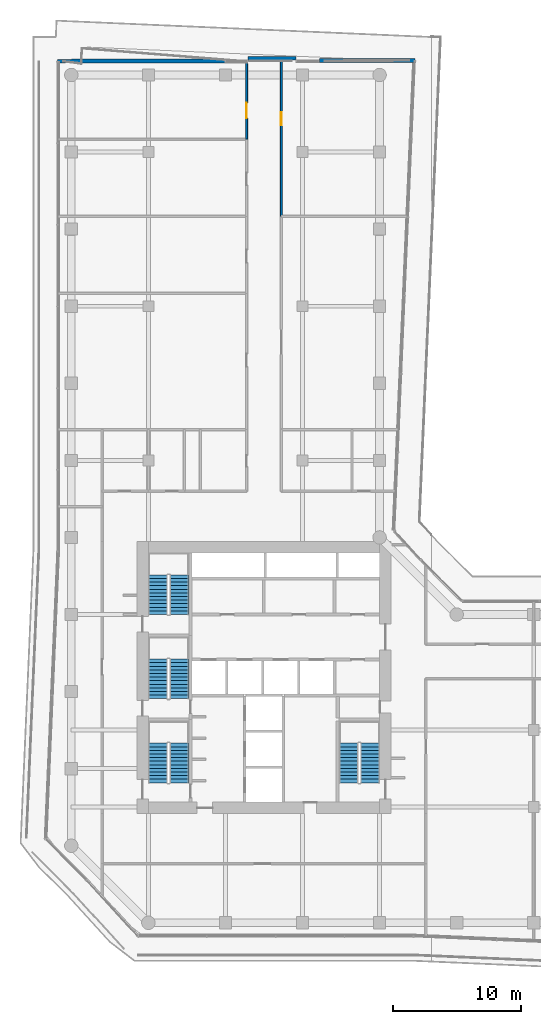
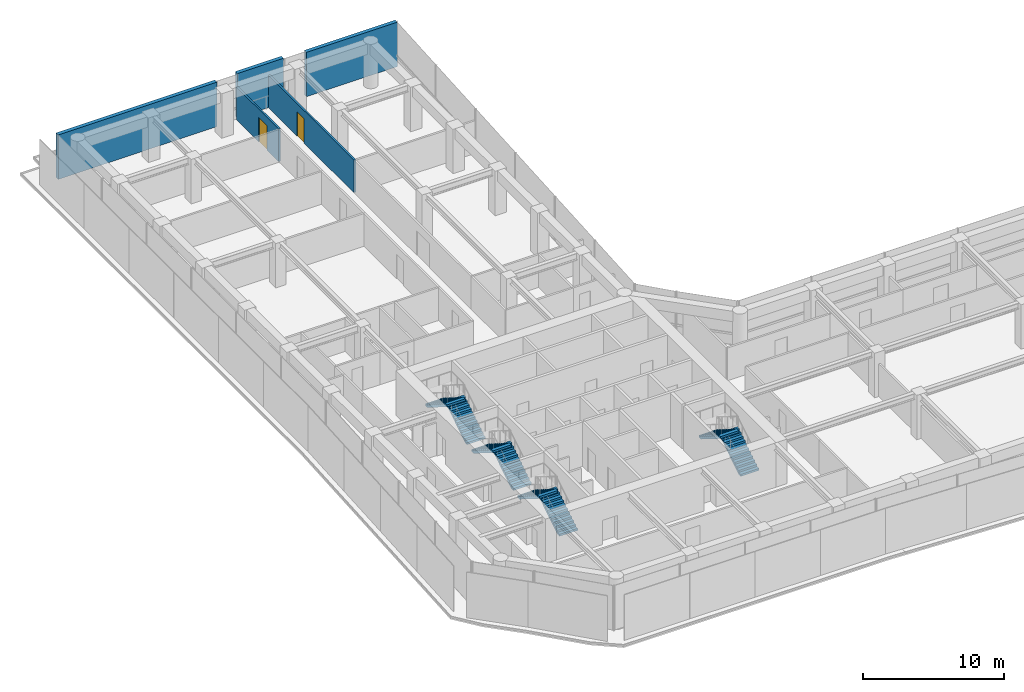
# One storey, part 27 of 29: 8 stair flights, 5 walls, 2 doors, 2 openings, 4 elements without a shape of their own.
"""IFC4 building model written with IfcOpenShell, lengths in metres."""

from ifc_helpers import new_model, si_unit, direction, frame, frame_2d, origin, place, context, subcontext, project, spatial, polyline, rectangle, outline, extrude, material, layer, layer_set, type_object, element, fill, aggregate, save


model = new_model("IFC4")

# Units and contexts
model_context = context("Model", 3, precision=1e-05, world=origin(), true_north=direction((0.0, 1.0)))
body_context = subcontext(model_context, "Body", "Model", "MODEL_VIEW")
ifc_project = project(units=[si_unit("LENGTHUNIT", "METRE"), si_unit("AREAUNIT", "SQUARE_METRE"), si_unit("VOLUMEUNIT", "CUBIC_METRE"), si_unit("PLANEANGLEUNIT", "RADIAN"), si_unit("MASSUNIT", "GRAM", prefix="KILO")], contexts=[model_context])

# Site, building, storey
site_placement = place(None, origin())
site = spatial("IfcSite", under=ifc_project, at=site_placement, CompositionType="ELEMENT")
building_placement = place(site_placement, origin())
building = spatial("IfcBuilding", under=site, at=building_placement, Name="Welwitschia Terrace Campus", CompositionType="ELEMENT")
storey_placement = place(building_placement, frame((0.0, 0.0, 41.60009765625)))
storey = spatial("IfcBuildingStorey", under=building, at=storey_placement, Name="L09", CompositionType="ELEMENT", Elevation=41.60009765625)

# Wall, opening, door
ifc_material_1 = material(Name="Gypsum board on steel studs", Category="steel")
ifc_layer_1 = layer(ifc_material_1, 0.14990234375)
ifc_layer_set_1 = layer_set([ifc_layer_1], Name="Gypsum board on steel studs")
wall_type_1 = type_object("IfcWallType", Name="Corridor partition 150 EI 30", PredefinedType="PARTITIONING", material=ifc_layer_set_1)
wall_1_placement = place(storey_placement, frame((13.64990234375, 57.0, 0.0), z_axis=(0.0, 0.0, 1.0), x_axis=(0.0, 1.0, 0.0)))
wall_1 = element("IfcWall", 1, at=wall_1_placement, inside=storey, type_object=wall_type_1, Name="Partition", PredefinedType="PARTITIONING", context=body_context, shape_type="SweptSolid", body=[
    extrude(rectangle(XDim=6.022705078125, YDim=0.14990234375, at=frame_2d((3.01123046875, 0.0))), origin(), (0.0, 0.0, 1.0), 2.829833984375),
])
opening_1_placement = place(wall_1_placement, frame((1.639892578125, 0.0, 0.0)))
opening_1 = element("IfcOpeningElement", 2, at=opening_1_placement, cuts=wall_1, Name="Opening DI12", PredefinedType="OPENING", context=body_context, shape_type="SweptSolid", body=[
    extrude(rectangle(XDim=1.199951171875, YDim=2.10009765625, at=frame_2d((0.60009765625, 1.050048828125))), frame((0.0, 0.0849609375, 0.0), z_axis=(0.0, -1.0, 0.0), x_axis=(1.0, 0.0, 0.0)), (0.0, 0.0, 1.0), 0.169921875),
])
ifc_material_2 = material(Name="Timber veneered door", Category="wood")
door_type_1 = type_object("IfcDoorType", Name="Interior door DI12", OperationType="NOTDEFINED", PredefinedType="DOOR", material=ifc_material_2)
door_1_placement = place(opening_1_placement, origin())
door_1 = element("IfcDoor", 3, at=door_1_placement, inside=storey, type_object=door_type_1, Name="Door L09 216", OperationType="SINGLE_SWING_LEFT", OverallHeight=2.10009765625, OverallWidth=1.199951171875, PredefinedType="DOOR", context=body_context, shape_type="SweptSolid", body=[
    extrude(rectangle(XDim=1.199951171875, YDim=2.10009765625, at=frame_2d((0.60009765625, 1.050048828125))), frame((0.0, 0.02490234375, 0.0), z_axis=(0.0, -1.0, 0.0), x_axis=(1.0, 0.0, 0.0)), (0.0, 0.0, 1.0), 0.050048828125),
])
fill(opening_1, door_1)

wall_2_placement = place(storey_placement, frame((16.35009765625, 63.15380859375, 0.0), z_axis=(0.0, 0.0, 1.0), x_axis=(0.0, -1.0, 0.0)))
wall_2 = element("IfcWall", 4, at=wall_2_placement, inside=storey, type_object=wall_type_1, Name="Partition", PredefinedType="PARTITIONING", context=body_context, shape_type="SweptSolid", body=[
    extrude(rectangle(XDim=12.15380859375, YDim=0.14990234375, at=frame_2d((6.076904296875, 0.0))), origin(), (0.0, 0.0, 1.0), 2.829833984375),
])
opening_2_placement = place(wall_2_placement, frame((4.0537109375, 0.0, 0.0)))
opening_2 = element("IfcOpeningElement", 5, at=opening_2_placement, cuts=wall_2, Name="Opening DI10", PredefinedType="OPENING", context=body_context, shape_type="SweptSolid", body=[
    extrude(rectangle(XDim=1.0, YDim=2.10009765625, at=frame_2d((0.5, 1.050048828125))), frame((0.0, 0.0849609375, 0.0), z_axis=(0.0, -1.0, 0.0), x_axis=(1.0, 0.0, 0.0)), (0.0, 0.0, 1.0), 0.169921875),
])
ifc_material_3 = material(Name="Timber veneered door", Category="wood")
door_type_2 = type_object("IfcDoorType", Name="Interior door DI10", OperationType="NOTDEFINED", PredefinedType="DOOR", material=ifc_material_3)
door_2_placement = place(opening_2_placement, origin())
door_2 = element("IfcDoor", 6, at=door_2_placement, inside=storey, type_object=door_type_2, Name="Door L09 218", OperationType="SINGLE_SWING_LEFT", OverallHeight=2.10009765625, OverallWidth=1.0, PredefinedType="DOOR", context=body_context, shape_type="SweptSolid", body=[
    extrude(rectangle(XDim=1.0, YDim=2.10009765625, at=frame_2d((0.5, 1.050048828125))), frame((0.0, 0.02490234375, 0.0), z_axis=(0.0, -1.0, 0.0), x_axis=(1.0, 0.0, 0.0)), (0.0, 0.0, 1.0), 0.050048828125),
])
fill(opening_2, door_2)

# Walls
ifc_material_4 = material(Name="Concrete C40/50", Category="concrete")
ifc_layer_2 = layer(ifc_material_4, 0.300048828125)
ifc_layer_set_2 = layer_set([ifc_layer_2], Name="Concrete C40/50")
wall_type_2 = type_object("IfcWallType", Name="Mass wall 300", PredefinedType="SOLIDWALL", material=ifc_layer_set_2)
wall_3_placement = place(storey_placement, frame((26.751220703125, 63.135498046875, 0.0), z_axis=(0.0, 0.0, 1.0), x_axis=(-0.999997363717, -0.002296205198, 0.0)))
element("IfcWall", 7, at=wall_3_placement, inside=storey, type_object=wall_type_2, Name="Mass wall L09.12.0", PredefinedType="SOLIDWALL", context=body_context, shape_type="SweptSolid", body=[
    extrude(rectangle(XDim=7.442626953125, YDim=0.300048828125, at=frame_2d((3.72119140625, 0.0))), origin(), (0.0, 0.0, 1.0), 3.849853515625),
])
wall_4_placement = place(storey_placement, frame((17.508056640625, 63.306396484375, 0.0), z_axis=(0.0, 0.0, 1.0), x_axis=(-0.999997420381, -0.002271393972, 0.0)))
element("IfcWall", 8, at=wall_4_placement, inside=storey, type_object=wall_type_2, Name="Mass wall L09.12.1", PredefinedType="SOLIDWALL", context=body_context, shape_type="SweptSolid", body=[
    extrude(rectangle(XDim=3.761962890625, YDim=0.300048828125, at=frame_2d((1.880859375, 0.0))), origin(), (0.0, 0.0, 1.0), 3.849853515625),
])
wall_5_placement = place(storey_placement, frame((11.946533203125, 63.103271484375, 0.0), z_axis=(0.0, 0.0, 1.0), x_axis=(-0.999997377162, -0.002290342614, 0.0)))
element("IfcWall", 9, at=wall_5_placement, inside=storey, type_object=wall_type_2, Name="Mass wall L09.12.2", PredefinedType="SOLIDWALL", context=body_context, shape_type="SweptSolid", body=[
    extrude(rectangle(XDim=13.004638671875, YDim=0.300048828125, at=frame_2d((6.50244140625, 0.0))), origin(), (0.0, 0.0, 1.0), 3.849853515625),
])

# Stair, stair flights
ifc_material_5 = material(Name="Concrete C40/50", Category="concrete")
stair_type = type_object("IfcStairType", Name="Stair 24R 175 W1500", PredefinedType="HALF_TURN_STAIR", material=ifc_material_5)
stair_1_placement = place(storey_placement, origin())
stair_1 = element("IfcStair", 10, at=stair_1_placement, inside=storey, type_object=stair_type, Name="L09 Exit stair S1", PredefinedType="HALF_TURN_STAIR")
ifc_material_6 = material(Name="Concrete C40/50", Category="concrete")
stair_flight_type = type_object("IfcStairFlightType", Name="Stair flight 24R 175 W1500", PredefinedType="STRAIGHT", material=ifc_material_6)
stair_flight_1_placement = place(storey_placement, frame((8.39990234375, 6.89990234375, 0.0), z_axis=(0.0, 0.0, 1.0), x_axis=(0.0, 1.0, 0.0)))
stair_flight_1 = element("IfcStairFlight", 11, at=stair_flight_1_placement, type_object=stair_flight_type, Name="S1 flight 1", NumberOfRisers=12, NumberOfTreads=11, PredefinedType="STRAIGHT", RiserHeight=0.175, TreadLength=0.28, context=body_context, shape_type="SweptSolid", body=[
    extrude(outline(polyline([(0.0, 0.0), (0.0, 0.175048828125), (0.280029296875, 0.175048828125), (0.280029296875, 0.35009765625), (0.56005859375, 0.35009765625), (0.56005859375, 0.52490234375), (0.840087890625, 0.52490234375), (0.840087890625, 0.699951171875), (1.1201171875, 0.699951171875), (1.1201171875, 0.875), (1.39990234375, 0.875), (1.39990234375, 1.050048828125), (1.679931640625, 1.050048828125), (1.679931640625, 1.22509765625), (1.9599609375, 1.22509765625), (1.9599609375, 1.39990234375), (2.239990234375, 1.39990234375), (2.239990234375, 1.574951171875), (2.52001953125, 1.574951171875), (2.52001953125, 1.75), (2.800048828125, 1.75), (2.800048828125, 1.925048828125), (3.080078125, 1.925048828125), (3.080078125, 2.10009765625), (3.080078125, 1.748291015625), (0.28271484375, 0.0), (0.0, 0.0)])), frame((0.0, 0.75, 0.0), z_axis=(0.0, -1.0, 0.0), x_axis=(1.0, 0.0, 0.0)), (0.0, 0.0, 1.0), 1.5),
])
stair_flight_2_placement = place(storey_placement, frame((6.75, 9.97998046875, 2.099853515625), z_axis=(0.0, 0.0, 1.0), x_axis=(0.0, -1.0, 0.0)))
stair_flight_2 = element("IfcStairFlight", 12, at=stair_flight_2_placement, type_object=stair_flight_type, Name="S1 flight 2", NumberOfRisers=12, NumberOfTreads=11, PredefinedType="STRAIGHT", RiserHeight=0.175, TreadLength=0.28, context=body_context, shape_type="SweptSolid", body=[
    extrude(outline(polyline([(0.0, 0.0), (0.0, 0.175048828125), (0.280029296875, 0.175048828125), (0.280029296875, 0.35009765625), (0.56005859375, 0.35009765625), (0.56005859375, 0.52490234375), (0.840087890625, 0.52490234375), (0.840087890625, 0.699951171875), (1.1201171875, 0.699951171875), (1.1201171875, 0.875), (1.39990234375, 0.875), (1.39990234375, 1.050048828125), (1.679931640625, 1.050048828125), (1.679931640625, 1.22509765625), (1.9599609375, 1.22509765625), (1.9599609375, 1.39990234375), (2.239990234375, 1.39990234375), (2.239990234375, 1.574951171875), (2.52001953125, 1.574951171875), (2.52001953125, 1.75), (2.800048828125, 1.75), (2.800048828125, 1.925048828125), (3.080078125, 1.925048828125), (3.080078125, 2.10009765625), (3.080078125, 1.748291015625), (0.28271484375, 0.0), (0.0, 0.0)])), frame((0.0, 0.75, 0.0), z_axis=(0.0, -1.0, 0.0), x_axis=(1.0, 0.0, 0.0)), (0.0, 0.0, 1.0), 1.5),
])
aggregate(stair_1, [stair_flight_1, stair_flight_2])

stair_2_placement = place(storey_placement, origin())
stair_2 = element("IfcStair", 13, at=stair_2_placement, inside=storey, type_object=stair_type, Name="L09 Exit stair S3", PredefinedType="HALF_TURN_STAIR")
stair_flight_3_placement = place(storey_placement, frame((8.39990234375, 13.449951171875, 0.0), z_axis=(0.0, 0.0, 1.0), x_axis=(0.0, 1.0, 0.0)))
stair_flight_3 = element("IfcStairFlight", 14, at=stair_flight_3_placement, type_object=stair_flight_type, Name="S3 flight 1", NumberOfRisers=12, NumberOfTreads=11, PredefinedType="STRAIGHT", RiserHeight=0.175, TreadLength=0.28, context=body_context, shape_type="SweptSolid", body=[
    extrude(outline(polyline([(0.0, 0.0), (0.0, 0.175048828125), (0.280029296875, 0.175048828125), (0.280029296875, 0.35009765625), (0.56005859375, 0.35009765625), (0.56005859375, 0.52490234375), (0.840087890625, 0.52490234375), (0.840087890625, 0.699951171875), (1.1201171875, 0.699951171875), (1.1201171875, 0.875), (1.39990234375, 0.875), (1.39990234375, 1.050048828125), (1.679931640625, 1.050048828125), (1.679931640625, 1.22509765625), (1.9599609375, 1.22509765625), (1.9599609375, 1.39990234375), (2.239990234375, 1.39990234375), (2.239990234375, 1.574951171875), (2.52001953125, 1.574951171875), (2.52001953125, 1.75), (2.800048828125, 1.75), (2.800048828125, 1.925048828125), (3.080078125, 1.925048828125), (3.080078125, 2.10009765625), (3.080078125, 1.748291015625), (0.28271484375, 0.0), (0.0, 0.0)])), frame((0.0, 0.75, 0.0), z_axis=(0.0, -1.0, 0.0), x_axis=(1.0, 0.0, 0.0)), (0.0, 0.0, 1.0), 1.5),
])
stair_flight_4_placement = place(storey_placement, frame((6.75, 16.530029296875, 2.099853515625), z_axis=(0.0, 0.0, 1.0), x_axis=(0.0, -1.0, 0.0)))
stair_flight_4 = element("IfcStairFlight", 15, at=stair_flight_4_placement, type_object=stair_flight_type, Name="S3 flight 2", NumberOfRisers=12, NumberOfTreads=11, PredefinedType="STRAIGHT", RiserHeight=0.175, TreadLength=0.28, context=body_context, shape_type="SweptSolid", body=[
    extrude(outline(polyline([(0.0, 0.0), (0.0, 0.175048828125), (0.280029296875, 0.175048828125), (0.280029296875, 0.35009765625), (0.56005859375, 0.35009765625), (0.56005859375, 0.52490234375), (0.840087890625, 0.52490234375), (0.840087890625, 0.699951171875), (1.1201171875, 0.699951171875), (1.1201171875, 0.875), (1.39990234375, 0.875), (1.39990234375, 1.050048828125), (1.679931640625, 1.050048828125), (1.679931640625, 1.22509765625), (1.9599609375, 1.22509765625), (1.9599609375, 1.39990234375), (2.239990234375, 1.39990234375), (2.239990234375, 1.574951171875), (2.52001953125, 1.574951171875), (2.52001953125, 1.75), (2.800048828125, 1.75), (2.800048828125, 1.925048828125), (3.080078125, 1.925048828125), (3.080078125, 2.10009765625), (3.080078125, 1.748291015625), (0.28271484375, 0.0), (0.0, 0.0)])), frame((0.0, 0.75, 0.0), z_axis=(0.0, -1.0, 0.0), x_axis=(1.0, 0.0, 0.0)), (0.0, 0.0, 1.0), 1.5),
])
aggregate(stair_2, [stair_flight_3, stair_flight_4])

stair_3_placement = place(storey_placement, origin())
stair_3 = element("IfcStair", 16, at=stair_3_placement, inside=storey, type_object=stair_type, Name="L09 Exit stair S4", PredefinedType="HALF_TURN_STAIR")
stair_flight_5_placement = place(storey_placement, frame((8.39990234375, 20.0, 0.0), z_axis=(0.0, 0.0, 1.0), x_axis=(0.0, 1.0, 0.0)))
stair_flight_5 = element("IfcStairFlight", 17, at=stair_flight_5_placement, type_object=stair_flight_type, Name="S4 flight 1", NumberOfRisers=12, NumberOfTreads=11, PredefinedType="STRAIGHT", RiserHeight=0.175, TreadLength=0.28, context=body_context, shape_type="SweptSolid", body=[
    extrude(outline(polyline([(0.0, 0.0), (0.0, 0.175048828125), (0.280029296875, 0.175048828125), (0.280029296875, 0.35009765625), (0.56005859375, 0.35009765625), (0.56005859375, 0.52490234375), (0.840087890625, 0.52490234375), (0.840087890625, 0.699951171875), (1.1201171875, 0.699951171875), (1.1201171875, 0.875), (1.39990234375, 0.875), (1.39990234375, 1.050048828125), (1.679931640625, 1.050048828125), (1.679931640625, 1.22509765625), (1.9599609375, 1.22509765625), (1.9599609375, 1.39990234375), (2.239990234375, 1.39990234375), (2.239990234375, 1.574951171875), (2.52001953125, 1.574951171875), (2.52001953125, 1.75), (2.800048828125, 1.75), (2.800048828125, 1.925048828125), (3.080078125, 1.925048828125), (3.080078125, 2.10009765625), (3.080078125, 1.748291015625), (0.28271484375, 0.0), (0.0, 0.0)])), frame((0.0, 0.75, 0.0), z_axis=(0.0, -1.0, 0.0), x_axis=(1.0, 0.0, 0.0)), (0.0, 0.0, 1.0), 1.5),
])
stair_flight_6_placement = place(storey_placement, frame((6.75, 23.080078125, 2.099853515625), z_axis=(0.0, 0.0, 1.0), x_axis=(0.0, -1.0, 0.0)))
stair_flight_6 = element("IfcStairFlight", 18, at=stair_flight_6_placement, type_object=stair_flight_type, Name="S4 flight 2", NumberOfRisers=12, NumberOfTreads=11, PredefinedType="STRAIGHT", RiserHeight=0.175, TreadLength=0.28, context=body_context, shape_type="SweptSolid", body=[
    extrude(outline(polyline([(0.0, 0.0), (0.0, 0.175048828125), (0.280029296875, 0.175048828125), (0.280029296875, 0.35009765625), (0.56005859375, 0.35009765625), (0.56005859375, 0.52490234375), (0.840087890625, 0.52490234375), (0.840087890625, 0.699951171875), (1.1201171875, 0.699951171875), (1.1201171875, 0.875), (1.39990234375, 0.875), (1.39990234375, 1.050048828125), (1.679931640625, 1.050048828125), (1.679931640625, 1.22509765625), (1.9599609375, 1.22509765625), (1.9599609375, 1.39990234375), (2.239990234375, 1.39990234375), (2.239990234375, 1.574951171875), (2.52001953125, 1.574951171875), (2.52001953125, 1.75), (2.800048828125, 1.75), (2.800048828125, 1.925048828125), (3.080078125, 1.925048828125), (3.080078125, 2.10009765625), (3.080078125, 1.748291015625), (0.28271484375, 0.0), (0.0, 0.0)])), frame((0.0, 0.75, 0.0), z_axis=(0.0, -1.0, 0.0), x_axis=(1.0, 0.0, 0.0)), (0.0, 0.0, 1.0), 1.5),
])
aggregate(stair_3, [stair_flight_5, stair_flight_6])

stair_4_placement = place(storey_placement, origin())
stair_4 = element("IfcStair", 19, at=stair_4_placement, inside=storey, type_object=stair_type, Name="L09 Exit stair S2", PredefinedType="HALF_TURN_STAIR")
stair_flight_7_placement = place(storey_placement, frame((23.25, 6.89990234375, 0.0), z_axis=(0.0, 0.0, 1.0), x_axis=(0.0, 1.0, 0.0)))
stair_flight_7 = element("IfcStairFlight", 20, at=stair_flight_7_placement, type_object=stair_flight_type, Name="S2 flight 1", NumberOfRisers=12, NumberOfTreads=11, PredefinedType="STRAIGHT", RiserHeight=0.175, TreadLength=0.28, context=body_context, shape_type="SweptSolid", body=[
    extrude(outline(polyline([(0.0, 0.0), (0.0, 0.175048828125), (0.280029296875, 0.175048828125), (0.280029296875, 0.35009765625), (0.56005859375, 0.35009765625), (0.56005859375, 0.52490234375), (0.840087890625, 0.52490234375), (0.840087890625, 0.699951171875), (1.1201171875, 0.699951171875), (1.1201171875, 0.875), (1.39990234375, 0.875), (1.39990234375, 1.050048828125), (1.679931640625, 1.050048828125), (1.679931640625, 1.22509765625), (1.9599609375, 1.22509765625), (1.9599609375, 1.39990234375), (2.239990234375, 1.39990234375), (2.239990234375, 1.574951171875), (2.52001953125, 1.574951171875), (2.52001953125, 1.75), (2.800048828125, 1.75), (2.800048828125, 1.925048828125), (3.080078125, 1.925048828125), (3.080078125, 2.10009765625), (3.080078125, 1.748291015625), (0.28271484375, 0.0), (0.0, 0.0)])), frame((0.0, 0.75, 0.0), z_axis=(0.0, -1.0, 0.0), x_axis=(1.0, 0.0, 0.0)), (0.0, 0.0, 1.0), 1.5),
])
stair_flight_8_placement = place(storey_placement, frame((21.60009765625, 9.97998046875, 2.099853515625), z_axis=(0.0, 0.0, 1.0), x_axis=(0.0, -1.0, 0.0)))
stair_flight_8 = element("IfcStairFlight", 21, at=stair_flight_8_placement, type_object=stair_flight_type, Name="S2 flight 2", NumberOfRisers=12, NumberOfTreads=11, PredefinedType="STRAIGHT", RiserHeight=0.175, TreadLength=0.28, context=body_context, shape_type="SweptSolid", body=[
    extrude(outline(polyline([(0.0, 0.0), (0.0, 0.175048828125), (0.280029296875, 0.175048828125), (0.280029296875, 0.35009765625), (0.56005859375, 0.35009765625), (0.56005859375, 0.52490234375), (0.840087890625, 0.52490234375), (0.840087890625, 0.699951171875), (1.1201171875, 0.699951171875), (1.1201171875, 0.875), (1.39990234375, 0.875), (1.39990234375, 1.050048828125), (1.679931640625, 1.050048828125), (1.679931640625, 1.22509765625), (1.9599609375, 1.22509765625), (1.9599609375, 1.39990234375), (2.239990234375, 1.39990234375), (2.239990234375, 1.574951171875), (2.52001953125, 1.574951171875), (2.52001953125, 1.75), (2.800048828125, 1.75), (2.800048828125, 1.925048828125), (3.080078125, 1.925048828125), (3.080078125, 2.10009765625), (3.080078125, 1.748291015625), (0.28271484375, 0.0), (0.0, 0.0)])), frame((0.0, 0.75, 0.0), z_axis=(0.0, -1.0, 0.0), x_axis=(1.0, 0.0, 0.0)), (0.0, 0.0, 1.0), 1.5),
])
aggregate(stair_4, [stair_flight_7, stair_flight_8])

save(model, "model.ifc")
